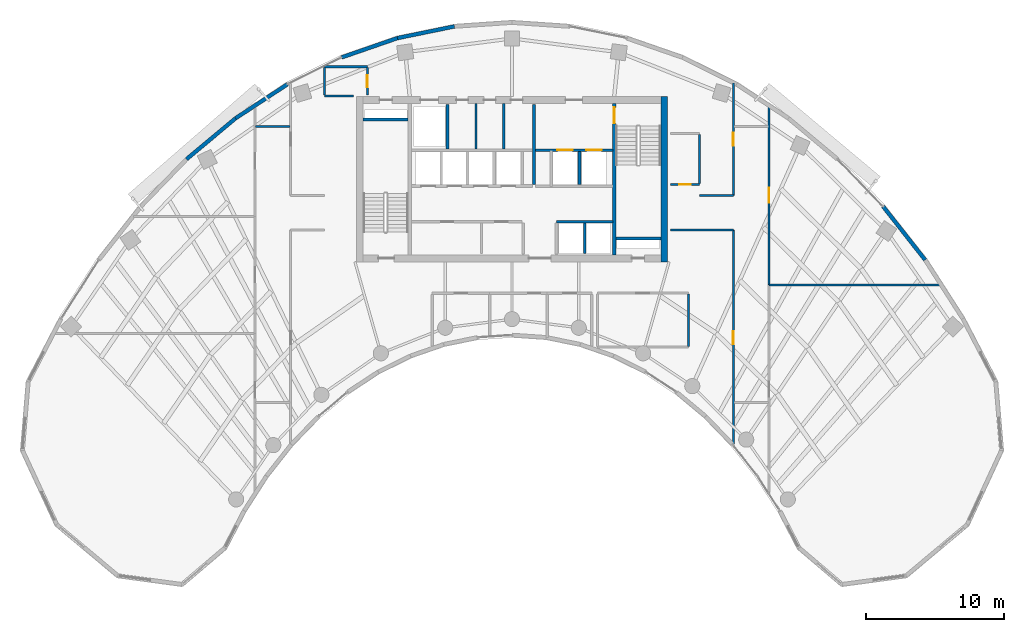
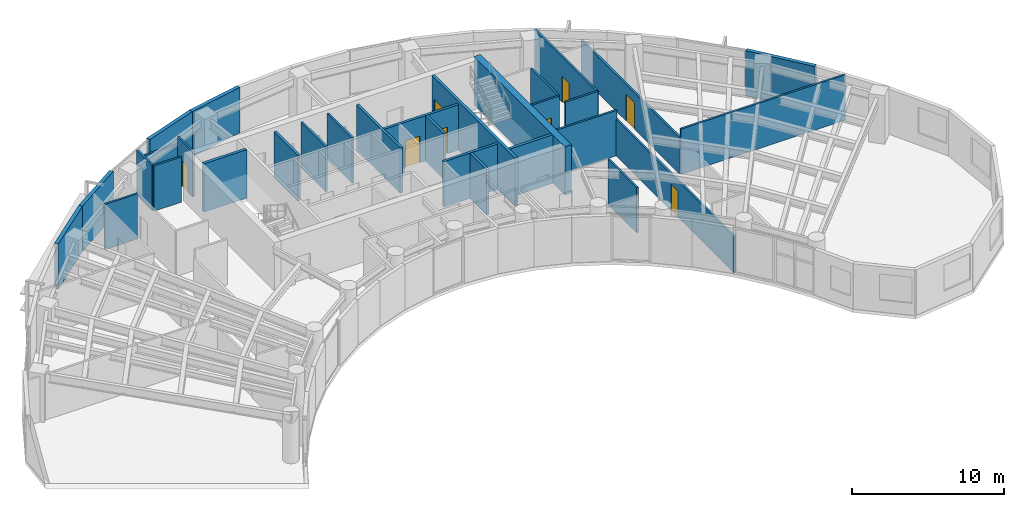
# One storey, part 9 of 13: 31 walls, 8 doors, 8 openings.
"""IFC4 building model written with IfcOpenShell, lengths in metres."""

from ifc_helpers import new_model, si_unit, direction, frame, frame_2d, origin, place, context, subcontext, project, spatial, rectangle, extrude, source, transform, mapped, material, layer, layer_set, type_object, type_shapes, element, fill, save


model = new_model("IFC4")

# Units and contexts
model_context = context("Model", 3, precision=1e-05, world=origin(), true_north=direction((0.0, 1.0)))
body_context = subcontext(model_context, "Body", "Model", "MODEL_VIEW")
ifc_project = project(units=[si_unit("LENGTHUNIT", "METRE"), si_unit("AREAUNIT", "SQUARE_METRE"), si_unit("VOLUMEUNIT", "CUBIC_METRE"), si_unit("PLANEANGLEUNIT", "RADIAN"), si_unit("MASSUNIT", "GRAM", prefix="KILO")], contexts=[model_context])

# Site, building, storey
site_placement = place(None, origin())
site = spatial("IfcSite", under=ifc_project, at=site_placement, CompositionType="ELEMENT")
building_placement = place(site_placement, origin())
building = spatial("IfcBuilding", under=site, at=building_placement, Name="Breltana Convention Tower", CompositionType="ELEMENT")
storey_placement = place(building_placement, frame((0.0, 0.0, 146.699951171875)))
storey = spatial("IfcBuildingStorey", under=building, at=storey_placement, Name="L35", CompositionType="ELEMENT", Elevation=146.699951171875)

# Walls
ifc_material_1 = material(Name="Concrete C60/75", Category="concrete")
ifc_layer_1 = layer(ifc_material_1, 0.5, Name="Concrete C60/75")
ifc_layer_set_1 = layer_set([ifc_layer_1], Name="Concrete C60/75")
wall_type_1 = type_object("IfcWallType", Name="SW-CORE-500", PredefinedType="SHEAR", material=ifc_layer_set_1)
shared_shape_1 = source(origin(), body_context, "Body", "SweptSolid", [
    extrude(rectangle(XDim=12.0, YDim=0.5, at=frame_2d((6.0, 0.0))), origin(), (0.0, 0.0, 1.0), 3.900146484375),
])
wall_1_placement = place(storey_placement, frame((59.050048828125, 60.199951171875, 0.0), z_axis=(0.0, 0.0, 1.0), x_axis=(0.0, 1.0, 0.0)))
element("IfcWall", 1, at=wall_1_placement, inside=storey, type_object=wall_type_1, Name="L35 East Core Shear Wall", PredefinedType="SHEAR", context=body_context, shape_type="MappedRepresentation", body=[
    mapped(shared_shape_1, transform((0.0, 0.0, 0.0), scale=1.0)),
])
ifc_material_2 = material(Name="Concrete C50/60", Category="concrete")
ifc_layer_2 = layer(ifc_material_2, 0.39990234375, Name="Concrete C50/60")
ifc_layer_set_2 = layer_set([ifc_layer_2], Name="Concrete C50/60")
wall_type_2 = type_object("IfcWallType", Name="SW-CORE-400", PredefinedType="SHEAR", material=ifc_layer_set_2)
shared_shape_2 = source(origin(), body_context, "Body", "SweptSolid", [
    extrude(rectangle(XDim=3.27001953125, YDim=0.219970703125, at=frame_2d((1.635009765625, 0.0))), origin(), (0.0, 0.0, 1.0), 3.900146484375),
])
for number, where, z_axis, x_axis, name in (
    (2, (37.199951171875, 70.510009765625, 0.0), (0.0, 0.0, 1.0), (1.0, 0.0, 0.0), "L35 ST-1 Stairwell North Bearing Wall"),
    (3, (55.530029296875, 61.889892578125, 0.0), (0.0, 0.0, 1.0), (1.0, 0.0, 0.0), "L35 ST-2 Stairwell South Bearing Wall"),
):
    element("IfcWall", number, at=place(storey_placement, frame(where, z_axis=z_axis, x_axis=x_axis)), inside=storey, type_object=wall_type_2, Name=name, PredefinedType="SHEAR", context=body_context, shape_type="MappedRepresentation", body=[
        mapped(shared_shape_2, transform((0.0, 0.0, 0.0), scale=1.0)),
    ])

# Wall, opening, door
shared_shape_3 = source(origin(), body_context, "Body", "SweptSolid", [
    extrude(rectangle(XDim=11.0, YDim=0.219970703125, at=frame_2d((5.5, 0.0))), origin(), (0.0, 0.0, 1.0), 3.900146484375),
])
wall_2_placement = place(storey_placement, frame((55.419921875, 60.699951171875, 0.0), z_axis=(0.0, 0.0, 1.0), x_axis=(0.0, 1.0, 0.0)))
wall_2 = element("IfcWall", 4, at=wall_2_placement, inside=storey, type_object=wall_type_2, Name="L35 Core East Stair Spine Wall", PredefinedType="SHEAR", context=body_context, shape_type="MappedRepresentation", body=[
    mapped(shared_shape_3, transform((0.0, 0.0, 0.0), scale=1.0)),
])
opening_1_placement = place(wall_2_placement, frame((9.544921875, 0.0, 0.0)))
opening_1 = element("IfcOpeningElement", 5, at=opening_1_placement, cuts=wall_2, Name="Opening D-11", PredefinedType="OPENING", context=body_context, shape_type="SweptSolid", body=[
    extrude(rectangle(XDim=1.14990234375, YDim=2.14990234375, at=frame_2d((0.574951171875, 1.074951171875))), frame((0.0, 0.1201171875, 0.0), z_axis=(0.0, -1.0, 0.0), x_axis=(1.0, 0.0, 0.0)), (0.0, 0.0, 1.0), 0.239990234375),
])
ifc_material_3 = material(Name="Steel Stair Exit Door", Category="steel")
door_type_1 = type_object("IfcDoorType", Name="DR-FD120-1150", OperationType="NOTDEFINED", PredefinedType="DOOR", material=ifc_material_3)
shared_shape_4 = source(origin(), body_context, "Body", "SweptSolid", [
    extrude(rectangle(XDim=1.14990234375, YDim=2.14990234375, at=frame_2d((0.574951171875, 1.074951171875))), frame((0.0, 0.02490234375, 0.0), z_axis=(0.0, -1.0, 0.0), x_axis=(1.0, 0.0, 0.0)), (0.0, 0.0, 1.0), 0.050048828125),
])
type_shapes(door_type_1, [shared_shape_4])
door_1_placement = place(opening_1_placement, origin())
door_1 = element("IfcDoor", 6, at=door_1_placement, inside=storey, type_object=door_type_1, Name="L35 interior door D-L35-ST2", OperationType="SINGLE_SWING_LEFT", OverallHeight=2.14990234375, OverallWidth=1.14990234375, PredefinedType="DOOR", context=body_context, shape_type="MappedRepresentation", body=[
    mapped(shared_shape_4, transform((0.0, 0.0, 0.0), scale=1.0)),
])
fill(opening_1, door_1)

# Walls
ifc_material_4 = material(Name="Limestone Buff Insulated Wall", Category="masonry")
ifc_layer_3 = layer(ifc_material_4, 0.280029296875, Name="Limestone Buff Insulated Wall")
ifc_layer_set_3 = layer_set([ifc_layer_3], Name="Limestone Buff Insulated Wall")
wall_type_3 = type_object("IfcWallType", Name="WL-EXT-NOSE-280", PredefinedType="SOLIDWALL", material=ifc_layer_set_3)
shared_shape_5 = source(origin(), body_context, "Body", "SweptSolid", [
    extrude(rectangle(XDim=4.921630859375, YDim=0.280029296875, at=frame_2d((2.4609375, 0.0))), origin(), (0.0, 0.0, 1.0), 3.650146484375),
])
wall_3_placement = place(storey_placement, frame((74.936279296875, 64.206298828125, 0.0), z_axis=(0.0, 0.0, 1.0), x_axis=(0.61817639101, -0.786039407153, 0.0)))
element("IfcWall", 7, at=wall_3_placement, inside=storey, type_object=wall_type_3, Name="L35 curved limestone nose wall E32", PredefinedType="SOLIDWALL", context=body_context, shape_type="MappedRepresentation", body=[
    mapped(shared_shape_5, transform((0.0, 0.0, 0.0), scale=1.0)),
])
shared_shape_6 = source(origin(), body_context, "Body", "SweptSolid", [
    extrude(rectangle(XDim=4.633544921875, YDim=0.280029296875, at=frame_2d((2.31689453125, 0.0))), origin(), (0.0, 0.0, 1.0), 3.650146484375),
])
wall_4_placement = place(storey_placement, frame((24.381103515625, 67.64208984375, 0.0), z_axis=(0.0, 0.0, 1.0), x_axis=(0.767910229096, 0.640557475993, 0.0)))
element("IfcWall", 8, at=wall_4_placement, inside=storey, type_object=wall_type_3, Name="L35 curved limestone nose wall E22", PredefinedType="SOLIDWALL", context=body_context, shape_type="MappedRepresentation", body=[
    mapped(shared_shape_6, transform((0.0, 0.0, 0.0), scale=1.0)),
])
shared_shape_7 = source(origin(), body_context, "Body", "SweptSolid", [
    extrude(rectangle(XDim=4.500732421875, YDim=0.280029296875, at=frame_2d((2.25048828125, 0.0))), origin(), (0.0, 0.0, 1.0), 3.650146484375),
])
wall_5_placement = place(storey_placement, frame((27.939208984375, 70.610107421875, 0.0), z_axis=(0.0, 0.0, 1.0), x_axis=(0.835984920737, 0.548752414391, 0.0)))
element("IfcWall", 9, at=wall_5_placement, inside=storey, type_object=wall_type_3, Name="L35 curved limestone nose wall E23", PredefinedType="SOLIDWALL", context=body_context, shape_type="MappedRepresentation", body=[
    mapped(shared_shape_7, transform((0.0, 0.0, 0.0), scale=1.0)),
])
shared_shape_8 = source(origin(), body_context, "Body", "SweptSolid", [
    extrude(rectangle(XDim=4.289794921875, YDim=0.280029296875, at=frame_2d((2.14501953125, 0.0))), origin(), (0.0, 0.0, 1.0), 3.650146484375),
])
wall_6_placement = place(storey_placement, frame((35.629638671875, 75.02685546875, 0.0), z_axis=(0.0, 0.0, 1.0), x_axis=(0.944883859218, 0.3274057003, 0.0)))
element("IfcWall", 10, at=wall_6_placement, inside=storey, type_object=wall_type_3, Name="L35 curved limestone nose wall E24", PredefinedType="SOLIDWALL", context=body_context, shape_type="MappedRepresentation", body=[
    mapped(shared_shape_8, transform((0.0, 0.0, 0.0), scale=1.0)),
])
shared_shape_9 = source(origin(), body_context, "Body", "SweptSolid", [
    extrude(rectangle(XDim=4.223388671875, YDim=0.280029296875, at=frame_2d((2.11181640625, 0.0))), origin(), (0.0, 0.0, 1.0), 3.650146484375),
])
wall_7_placement = place(storey_placement, frame((39.68310546875, 76.431396484375, 0.0), z_axis=(0.0, 0.0, 1.0), x_axis=(0.979615245085, 0.200882979858, 0.0)))
element("IfcWall", 11, at=wall_7_placement, inside=storey, type_object=wall_type_3, Name="L35 curved limestone nose wall E25", PredefinedType="SOLIDWALL", context=body_context, shape_type="MappedRepresentation", body=[
    mapped(shared_shape_9, transform((0.0, 0.0, 0.0), scale=1.0)),
])

# Wall, openings, doors
ifc_material_5 = material(Name="Autoclaved Aerated Concrete Block", Category="concrete")
ifc_layer_4 = layer(ifc_material_5, 0.199951171875, Name="Autoclaved Aerated Concrete Block")
ifc_layer_set_4 = layer_set([ifc_layer_4], Name="Autoclaved Aerated Concrete Block")
wall_type_4 = type_object("IfcWallType", Name="WL-SHAFT-200", PredefinedType="SOLIDWALL", material=ifc_layer_set_4)
shared_shape_10 = source(origin(), body_context, "Body", "SweptSolid", [
    extrude(rectangle(XDim=5.6201171875, YDim=0.199951171875, at=frame_2d((2.81005859375, 0.0))), origin(), (0.0, 0.0, 1.0), 3.650146484375),
])
wall_8_placement = place(storey_placement, frame((49.699951171875, 68.300048828125, 0.0), z_axis=(0.0, 0.0, 1.0), x_axis=(1.0, 0.0, 0.0)))
wall_8 = element("IfcWall", 12, at=wall_8_placement, inside=storey, type_object=wall_type_4, Name="L35 interior partition W-L35-FFL-S", PredefinedType="SOLIDWALL", context=body_context, shape_type="MappedRepresentation", body=[
    mapped(shared_shape_10, transform((0.0, 0.0, 0.0), scale=1.0)),
])
opening_2_placement = place(wall_8_placement, frame((1.60009765625, 0.0, 0.0)))
opening_2 = element("IfcOpeningElement", 13, at=opening_2_placement, cuts=wall_8, Name="Opening LD-03", PredefinedType="OPENING", context=body_context, shape_type="SweptSolid", body=[
    extrude(rectangle(XDim=1.10009765625, YDim=2.14990234375, at=frame_2d((0.550048828125, 1.074951171875))), frame((0.0, 0.10986328125, 0.0), z_axis=(0.0, -1.0, 0.0), x_axis=(1.0, 0.0, 0.0)), (0.0, 0.0, 1.0), 0.219970703125),
])
opening_3_placement = place(wall_8_placement, frame((3.699951171875, 0.0, 0.0)))
opening_3 = element("IfcOpeningElement", 14, at=opening_3_placement, cuts=wall_8, Name="Opening LD-03", PredefinedType="OPENING", context=body_context, shape_type="SweptSolid", body=[
    extrude(rectangle(XDim=1.10009765625, YDim=2.14990234375, at=frame_2d((0.550048828125, 1.074951171875))), frame((0.0, 0.10986328125, 0.0), z_axis=(0.0, -1.0, 0.0), x_axis=(1.0, 0.0, 0.0)), (0.0, 0.0, 1.0), 0.219970703125),
])
ifc_material_6 = material(Name="Stainless Steel Brushed", Category="steel")
door_type_2 = type_object("IfcDoorType", Name="DR-LD-FF-1100", OperationType="DOUBLE_DOOR_SLIDING", PredefinedType="DOOR", material=ifc_material_6)
shared_shape_11 = source(origin(), body_context, "Body", "SweptSolid", [
    extrude(rectangle(XDim=1.10009765625, YDim=2.14990234375, at=frame_2d((0.550048828125, 1.074951171875))), frame((0.0, 0.02490234375, 0.0), z_axis=(0.0, -1.0, 0.0), x_axis=(1.0, 0.0, 0.0)), (0.0, 0.0, 1.0), 0.050048828125),
])
type_shapes(door_type_2, [shared_shape_11])
door_2_placement = place(opening_2_placement, origin())
door_2 = element("IfcDoor", 15, at=door_2_placement, inside=storey, type_object=door_type_2, Name="L35 Lift Landing Door D-L35-LD-FL1", OperationType="DOUBLE_DOOR_SLIDING", OverallHeight=2.14990234375, OverallWidth=1.10009765625, PredefinedType="DOOR", context=body_context, shape_type="MappedRepresentation", body=[
    mapped(shared_shape_11, transform((0.0, 0.0, 0.0), scale=1.0)),
])
fill(opening_2, door_2)
door_3_placement = place(opening_3_placement, origin())
door_3 = element("IfcDoor", 16, at=door_3_placement, inside=storey, type_object=door_type_2, Name="L35 Lift Landing Door D-L35-LD-FL2", OperationType="DOUBLE_DOOR_SLIDING", OverallHeight=2.14990234375, OverallWidth=1.10009765625, PredefinedType="DOOR", context=body_context, shape_type="MappedRepresentation", body=[
    mapped(shared_shape_11, transform((0.0, 0.0, 0.0), scale=1.0)),
])
fill(opening_3, door_3)

# Walls
shared_shape_12 = source(origin(), body_context, "Body", "SweptSolid", [
    extrude(rectangle(XDim=5.800048828125, YDim=0.199951171875, at=frame_2d((2.89990234375, 0.0))), origin(), (0.0, 0.0, 1.0), 3.650146484375),
])
wall_9_placement = place(storey_placement, frame((49.60009765625, 65.800048828125, 0.0), z_axis=(0.0, 0.0, 1.0), x_axis=(0.0, 1.0, 0.0)))
element("IfcWall", 17, at=wall_9_placement, inside=storey, type_object=wall_type_4, Name="L35 interior partition W-L35-FFL-W", PredefinedType="SOLIDWALL", context=body_context, shape_type="MappedRepresentation", body=[
    mapped(shared_shape_12, transform((0.0, 0.0, 0.0), scale=1.0)),
])
shared_shape_13 = source(origin(), body_context, "Body", "SweptSolid", [
    extrude(rectangle(XDim=2.39990234375, YDim=0.199951171875, at=frame_2d((1.199951171875, 0.0))), origin(), (0.0, 0.0, 1.0), 3.650146484375),
])
wall_10_placement = place(storey_placement, frame((52.89990234375, 65.800048828125, 0.0), z_axis=(0.0, 0.0, 1.0), x_axis=(0.0, 1.0, 0.0)))
element("IfcWall", 18, at=wall_10_placement, inside=storey, type_object=wall_type_4, Name="L35 interior partition W-L35-FL-DIV", PredefinedType="SOLIDWALL", context=body_context, shape_type="MappedRepresentation", body=[
    mapped(shared_shape_13, transform((0.0, 0.0, 0.0), scale=1.0)),
])
shared_shape_14 = source(origin(), body_context, "Body", "SweptSolid", [
    extrude(rectangle(XDim=3.2001953125, YDim=0.199951171875, at=frame_2d((1.60009765625, 0.0))), origin(), (0.0, 0.0, 1.0), 3.650146484375),
])
wall_11_placement = place(storey_placement, frame((43.320068359375, 68.39990234375, 0.0), z_axis=(0.0, 0.0, 1.0), x_axis=(0.0, 1.0, 0.0)))
element("IfcWall", 19, at=wall_11_placement, inside=storey, type_object=wall_type_4, Name="L35 interior partition W-L35-SV-E", PredefinedType="SOLIDWALL", context=body_context, shape_type="MappedRepresentation", body=[
    mapped(shared_shape_14, transform((0.0, 0.0, 0.0), scale=1.0)),
])
shared_shape_15 = source(origin(), body_context, "Body", "SweptSolid", [
    extrude(rectangle(XDim=4.10009765625, YDim=0.199951171875, at=frame_2d((2.050048828125, 0.0))), origin(), (0.0, 0.0, 1.0), 3.650146484375),
])
wall_12_placement = place(storey_placement, frame((51.219970703125, 63.10009765625, 0.0), z_axis=(0.0, 0.0, 1.0), x_axis=(1.0, 0.0, 0.0)))
element("IfcWall", 20, at=wall_12_placement, inside=storey, type_object=wall_type_4, Name="L35 interior partition W-L35-SH-X-FRONT", PredefinedType="SOLIDWALL", context=body_context, shape_type="MappedRepresentation", body=[
    mapped(shared_shape_15, transform((0.0, 0.0, 0.0), scale=1.0)),
])
shared_shape_16 = source(origin(), body_context, "Body", "SweptSolid", [
    extrude(rectangle(XDim=2.199951171875, YDim=0.199951171875, at=frame_2d((1.10009765625, 0.0))), origin(), (0.0, 0.0, 1.0), 3.650146484375),
])
wall_13_placement = place(storey_placement, frame((53.280029296875, 60.800048828125, 0.0), z_axis=(0.0, 0.0, 1.0), x_axis=(0.0, 1.0, 0.0)))
element("IfcWall", 21, at=wall_13_placement, inside=storey, type_object=wall_type_4, Name="L35 interior partition W-L35-SH-X-DIV", PredefinedType="SOLIDWALL", context=body_context, shape_type="MappedRepresentation", body=[
    mapped(shared_shape_16, transform((0.0, 0.0, 0.0), scale=1.0)),
])
ifc_material_7 = material(Name="Gypsum Acoustic Drywall Partition")
ifc_layer_5 = layer(ifc_material_7, 0.14990234375, Name="Gypsum Acoustic Drywall Partition")
ifc_layer_set_5 = layer_set([ifc_layer_5], Name="Gypsum Acoustic Drywall Partition")
wall_type_5 = type_object("IfcWallType", Name="WL-PART-150", PredefinedType="PARTITIONING", material=ifc_layer_set_5)
shared_shape_17 = source(origin(), body_context, "Body", "SweptSolid", [
    extrude(rectangle(XDim=3.78515625, YDim=0.14990234375, at=frame_2d((1.892578125, 0.0))), origin(), (0.0, 0.0, 1.0), 3.650146484375),
])
wall_14_placement = place(storey_placement, frame((60.800048828125, 54.0673828125, 0.0), z_axis=(0.0, 0.0, 1.0), x_axis=(0.0, 1.0, 0.0)))
element("IfcWall", 22, at=wall_14_placement, inside=storey, type_object=wall_type_5, Name="L35 interior partition W-L35-PNT-E", PredefinedType="PARTITIONING", context=body_context, shape_type="MappedRepresentation", body=[
    mapped(shared_shape_17, transform((0.0, 0.0, 0.0), scale=1.0)),
])
shared_shape_18 = source(origin(), body_context, "Body", "SweptSolid", [
    extrude(rectangle(XDim=2.5, YDim=0.14990234375, at=frame_2d((1.25, 0.0))), origin(), (0.0, 0.0, 1.0), 3.650146484375),
])
wall_15_placement = place(storey_placement, frame((29.39990234375, 70.0, 0.0), z_axis=(0.0, 0.0, 1.0), x_axis=(1.0, 0.0, 0.0)))
element("IfcWall", 23, at=wall_15_placement, inside=storey, type_object=wall_type_5, Name="L35 interior partition W-L35-CORNW-N", PredefinedType="PARTITIONING", context=body_context, shape_type="MappedRepresentation", body=[
    mapped(shared_shape_18, transform((0.0, 0.0, 0.0), scale=1.0)),
])
shared_shape_19 = source(origin(), body_context, "Body", "SweptSolid", [
    extrude(rectangle(XDim=3.280029296875, YDim=0.14990234375, at=frame_2d((1.64013671875, 0.0))), origin(), (0.0, 0.0, 1.0), 3.650146484375),
])
for number, where, z_axis, x_axis, name in (
    (24, (45.39990234375, 68.39990234375, 0.0), (0.0, 0.0, 1.0), (0.0, 1.0, 0.0), "L35 interior partition W-L35-KV-1"),
    (25, (47.39990234375, 68.39990234375, 0.0), (0.0, 0.0, 1.0), (0.0, 1.0, 0.0), "L35 interior partition W-L35-KV-2"),
):
    element("IfcWall", number, at=place(storey_placement, frame(where, z_axis=z_axis, x_axis=x_axis)), inside=storey, type_object=wall_type_5, Name=name, PredefinedType="PARTITIONING", context=body_context, shape_type="MappedRepresentation", body=[
        mapped(shared_shape_19, transform((0.0, 0.0, 0.0), scale=1.0)),
    ])
shared_shape_20 = source(origin(), body_context, "Body", "SweptSolid", [
    extrude(rectangle(XDim=2.10009765625, YDim=0.14990234375, at=frame_2d((1.050048828125, 0.0))), origin(), (0.0, 0.0, 1.0), 3.650146484375),
])
wall_16_placement = place(storey_placement, frame((34.39990234375, 72.219970703125, 0.0), z_axis=(0.0, 0.0, 1.0), x_axis=(1.0, 0.0, 0.0)))
element("IfcWall", 26, at=wall_16_placement, inside=storey, type_object=wall_type_5, Name="L35 interior partition W-L35-CRNE-S", PredefinedType="PARTITIONING", context=body_context, shape_type="MappedRepresentation", body=[
    mapped(shared_shape_20, transform((0.0, 0.0, 0.0), scale=1.0)),
])

# Wall, opening, door
wall_17_placement = place(storey_placement, frame((59.5, 65.800048828125, 0.0), z_axis=(0.0, 0.0, 1.0), x_axis=(1.0, 0.0, 0.0)))
wall_17 = element("IfcWall", 27, at=wall_17_placement, inside=storey, type_object=wall_type_5, Name="L35 interior partition W-L35-CRSE-S", PredefinedType="PARTITIONING", context=body_context, shape_type="MappedRepresentation", body=[
    mapped(shared_shape_20, transform((0.0, 0.0, 0.0), scale=1.0)),
])
opening_4_placement = place(wall_17_placement, frame((0.625, 0.0, 0.0)))
opening_4 = element("IfcOpeningElement", 28, at=opening_4_placement, cuts=wall_17, Name="Opening D-20", PredefinedType="OPENING", context=body_context, shape_type="SweptSolid", body=[
    extrude(rectangle(XDim=0.85009765625, YDim=2.10009765625, at=frame_2d((0.425048828125, 1.050048828125))), frame((0.0, 0.0849609375, 0.0), z_axis=(0.0, -1.0, 0.0), x_axis=(1.0, 0.0, 0.0)), (0.0, 0.0, 1.0), 0.169921875),
])
ifc_material_8 = material(Name="Steel Closet Fire Door", Category="steel")
door_type_3 = type_object("IfcDoorType", Name="DR-FD60-850", OperationType="NOTDEFINED", PredefinedType="DOOR", material=ifc_material_8)
shared_shape_21 = source(origin(), body_context, "Body", "SweptSolid", [
    extrude(rectangle(XDim=0.85009765625, YDim=2.10009765625, at=frame_2d((0.425048828125, 1.050048828125))), frame((0.0, 0.02490234375, 0.0), z_axis=(0.0, -1.0, 0.0), x_axis=(1.0, 0.0, 0.0)), (0.0, 0.0, 1.0), 0.050048828125),
])
type_shapes(door_type_3, [shared_shape_21])
door_4_placement = place(opening_4_placement, origin())
door_4 = element("IfcDoor", 29, at=door_4_placement, inside=storey, type_object=door_type_3, Name="L35 interior door D-L35-CRSE", OperationType="SINGLE_SWING_LEFT", OverallHeight=2.10009765625, OverallWidth=0.85009765625, PredefinedType="DOOR", context=body_context, shape_type="MappedRepresentation", body=[
    mapped(shared_shape_21, transform((0.0, 0.0, 0.0), scale=1.0)),
])
fill(opening_4, door_4)

# Wall
shared_shape_22 = source(origin(), body_context, "Body", "SweptSolid", [
    extrude(rectangle(XDim=1.994873046875, YDim=0.14990234375, at=frame_2d((0.99755859375, 0.0))), origin(), (0.0, 0.0, 1.0), 3.650146484375),
])
wall_18_placement = place(storey_placement, frame((34.39990234375, 72.28759765625, 0.0), z_axis=(0.0, 0.0, 1.0), x_axis=(0.0, 1.0, 0.0)))
element("IfcWall", 30, at=wall_18_placement, inside=storey, type_object=wall_type_5, Name="L35 interior partition W-L35-CRNE-W", PredefinedType="PARTITIONING", context=body_context, shape_type="MappedRepresentation", body=[
    mapped(shared_shape_22, transform((0.0, 0.0, 0.0), scale=1.0)),
])

# Wall, opening, door
shared_shape_23 = source(origin(), body_context, "Body", "SweptSolid", [
    extrude(rectangle(XDim=1.982421875, YDim=0.14990234375, at=frame_2d((0.9912109375, 0.0))), origin(), (0.0, 0.0, 1.0), 3.650146484375),
])
wall_19_placement = place(storey_placement, frame((37.5, 72.300048828125, 0.0), z_axis=(0.0, 0.0, 1.0), x_axis=(0.0, 1.0, 0.0)))
wall_19 = element("IfcWall", 31, at=wall_19_placement, inside=storey, type_object=wall_type_5, Name="L35 interior partition W-L35-CRNE-E", PredefinedType="PARTITIONING", context=body_context, shape_type="MappedRepresentation", body=[
    mapped(shared_shape_23, transform((0.0, 0.0, 0.0), scale=1.0)),
])
opening_5_placement = place(wall_19_placement, frame((0.56640625, 0.0, 0.0)))
opening_5 = element("IfcOpeningElement", 32, at=opening_5_placement, cuts=wall_19, Name="Opening D-20", PredefinedType="OPENING", context=body_context, shape_type="SweptSolid", body=[
    extrude(rectangle(XDim=0.85009765625, YDim=2.10009765625, at=frame_2d((0.425048828125, 1.050048828125))), frame((0.0, 0.0849609375, 0.0), z_axis=(0.0, -1.0, 0.0), x_axis=(1.0, 0.0, 0.0)), (0.0, 0.0, 1.0), 0.169921875),
])
door_5_placement = place(opening_5_placement, origin())
door_5 = element("IfcDoor", 33, at=door_5_placement, inside=storey, type_object=door_type_3, Name="L35 interior door D-L35-CRNE", OperationType="SINGLE_SWING_RIGHT", OverallHeight=2.10009765625, OverallWidth=0.85009765625, PredefinedType="DOOR", context=body_context, shape_type="MappedRepresentation", body=[
    mapped(shared_shape_21, transform((0.0, 0.0, 0.0), scale=1.0)),
])
fill(opening_5, door_5)

# Walls
shared_shape_24 = source(origin(), body_context, "Body", "SweptSolid", [
    extrude(rectangle(XDim=3.10009765625, YDim=0.14990234375, at=frame_2d((1.550048828125, 0.0))), origin(), (0.0, 0.0, 1.0), 3.02197265625),
])
wall_20_placement = place(storey_placement, frame((34.39990234375, 74.35009765625, 0.0), z_axis=(0.0, 0.0, 1.0), x_axis=(1.0, 0.0, 0.0)))
element("IfcWall", 34, at=wall_20_placement, inside=storey, type_object=wall_type_5, Name="L35 interior partition W-L35-CRNE-N", PredefinedType="PARTITIONING", context=body_context, shape_type="MappedRepresentation", body=[
    mapped(shared_shape_24, transform((0.0, 0.0, 0.0), scale=1.0)),
])
shared_shape_25 = source(origin(), body_context, "Body", "SweptSolid", [
    extrude(rectangle(XDim=3.565185546875, YDim=0.14990234375, at=frame_2d((1.78271484375, 0.0))), origin(), (0.0, 0.0, 1.0), 3.650146484375),
])
wall_21_placement = place(storey_placement, frame((61.60009765625, 65.867431640625, 0.0), z_axis=(0.0, 0.0, 1.0), x_axis=(0.0, 1.0, 0.0)))
element("IfcWall", 35, at=wall_21_placement, inside=storey, type_object=wall_type_5, Name="L35 interior partition W-L35-CRSE-E", PredefinedType="PARTITIONING", context=body_context, shape_type="MappedRepresentation", body=[
    mapped(shared_shape_25, transform((0.0, 0.0, 0.0), scale=1.0)),
])
shared_shape_26 = source(origin(), body_context, "Body", "SweptSolid", [
    extrude(rectangle(XDim=12.506591796875, YDim=0.14990234375, at=frame_2d((6.25341796875, 0.0))), origin(), (0.0, 0.0, 1.0), 3.650146484375),
])
wall_22_placement = place(storey_placement, frame((66.639892578125, 58.5, 0.0), z_axis=(0.0, 0.0, 1.0), x_axis=(1.0, 0.0, 0.0)))
element("IfcWall", 36, at=wall_22_placement, inside=storey, type_object=wall_type_5, Name="L35 interior partition W-L35-ZE1-N", PredefinedType="PARTITIONING", context=body_context, shape_type="MappedRepresentation", body=[
    mapped(shared_shape_26, transform((0.0, 0.0, 0.0), scale=1.0)),
])

# Wall, opening, door
shared_shape_27 = source(origin(), body_context, "Body", "SweptSolid", [
    extrude(rectangle(XDim=13.03076171875, YDim=0.14990234375, at=frame_2d((6.515380859375, 0.0))), origin(), (0.0, 0.0, 1.0), 2.942138671875),
])
wall_23_placement = place(storey_placement, frame((66.639892578125, 58.5, 0.0), z_axis=(0.0, 0.0, 1.0), x_axis=(0.0, 1.0, 0.0)))
wall_23 = element("IfcWall", 37, at=wall_23_placement, inside=storey, type_object=wall_type_5, Name="L35 interior partition W-L35-ZE2-W", PredefinedType="PARTITIONING", context=body_context, shape_type="MappedRepresentation", body=[
    mapped(shared_shape_27, transform((0.0, 0.0, 0.0), scale=1.0)),
])
opening_6_placement = place(wall_23_placement, frame((5.96533203125, 0.0, 0.0)))
opening_6 = element("IfcOpeningElement", 38, at=opening_6_placement, cuts=wall_23, Name="Opening D-12", PredefinedType="OPENING", context=body_context, shape_type="SweptSolid", body=[
    extrude(rectangle(XDim=1.10009765625, YDim=2.14990234375, at=frame_2d((0.550048828125, 1.074951171875))), frame((0.0, 0.0849609375, 0.0), z_axis=(0.0, -1.0, 0.0), x_axis=(1.0, 0.0, 0.0)), (0.0, 0.0, 1.0), 0.169921875),
])
ifc_material_9 = material(Name="Timber Oak Acoustic Door", Category="wood")
door_type_4 = type_object("IfcDoorType", Name="DR-INT-1100", OperationType="NOTDEFINED", PredefinedType="DOOR", material=ifc_material_9)
shared_shape_28 = source(origin(), body_context, "Body", "SweptSolid", [
    extrude(rectangle(XDim=1.10009765625, YDim=2.14990234375, at=frame_2d((0.550048828125, 1.074951171875))), frame((0.0, 0.02490234375, 0.0), z_axis=(0.0, -1.0, 0.0), x_axis=(1.0, 0.0, 0.0)), (0.0, 0.0, 1.0), 0.050048828125),
])
type_shapes(door_type_4, [shared_shape_28])
door_6_placement = place(opening_6_placement, origin())
door_6 = element("IfcDoor", 39, at=door_6_placement, inside=storey, type_object=door_type_4, Name="L35 interior door D-L35-ZE2", OperationType="SINGLE_SWING_RIGHT", OverallHeight=2.14990234375, OverallWidth=1.10009765625, PredefinedType="DOOR", context=body_context, shape_type="MappedRepresentation", body=[
    mapped(shared_shape_28, transform((0.0, 0.0, 0.0), scale=1.0)),
])
fill(opening_6, door_6)

shared_shape_29 = source(origin(), body_context, "Body", "SweptSolid", [
    extrude(rectangle(XDim=15.597900390625, YDim=0.14990234375, at=frame_2d((7.798828125, 0.0))), origin(), (0.0, 0.0, 1.0), 2.942138671875),
])
wall_24_placement = place(storey_placement, frame((64.06005859375, 46.902099609375, 0.0), z_axis=(0.0, 0.0, 1.0), x_axis=(0.0, 1.0, 0.0)))
wall_24 = element("IfcWall", 40, at=wall_24_placement, inside=storey, type_object=wall_type_5, Name="L35 interior partition W-L35-ZME1-D", PredefinedType="PARTITIONING", context=body_context, shape_type="MappedRepresentation", body=[
    mapped(shared_shape_29, transform((0.0, 0.0, 0.0), scale=1.0)),
])
opening_7_placement = place(wall_24_placement, frame((7.323974609375, 0.0, 0.0)))
opening_7 = element("IfcOpeningElement", 41, at=opening_7_placement, cuts=wall_24, Name="Opening D-17", PredefinedType="OPENING", context=body_context, shape_type="SweptSolid", body=[
    extrude(rectangle(XDim=0.949951171875, YDim=2.10009765625, at=frame_2d((0.47509765625, 1.050048828125))), frame((0.0, 0.0849609375, 0.0), z_axis=(0.0, -1.0, 0.0), x_axis=(1.0, 0.0, 0.0)), (0.0, 0.0, 1.0), 0.169921875),
])
ifc_material_10 = material(Name="Timber Oak Veneer Door", Category="wood")
door_type_5 = type_object("IfcDoorType", Name="DR-INT-950", OperationType="NOTDEFINED", PredefinedType="DOOR", material=ifc_material_10)
shared_shape_30 = source(origin(), body_context, "Body", "SweptSolid", [
    extrude(rectangle(XDim=0.949951171875, YDim=2.10009765625, at=frame_2d((0.47509765625, 1.050048828125))), frame((0.0, 0.02490234375, 0.0), z_axis=(0.0, -1.0, 0.0), x_axis=(1.0, 0.0, 0.0)), (0.0, 0.0, 1.0), 0.050048828125),
])
type_shapes(door_type_5, [shared_shape_30])
door_7_placement = place(opening_7_placement, origin())
door_7 = element("IfcDoor", 42, at=door_7_placement, inside=storey, type_object=door_type_5, Name="L35 interior door D-L35-ZME1", OperationType="SINGLE_SWING_LEFT", OverallHeight=2.10009765625, OverallWidth=0.949951171875, PredefinedType="DOOR", context=body_context, shape_type="MappedRepresentation", body=[
    mapped(shared_shape_30, transform((0.0, 0.0, 0.0), scale=1.0)),
])
fill(opening_7, door_7)

# Wall
shared_shape_31 = source(origin(), body_context, "Body", "SweptSolid", [
    extrude(rectangle(XDim=2.4599609375, YDim=0.14990234375, at=frame_2d((1.22998046875, 0.0))), origin(), (0.0, 0.0, 1.0), 3.650146484375),
])
wall_25_placement = place(storey_placement, frame((61.60009765625, 65.0, 0.0), z_axis=(0.0, 0.0, 1.0), x_axis=(1.0, 0.0, 0.0)))
element("IfcWall", 43, at=wall_25_placement, inside=storey, type_object=wall_type_5, Name="L35 interior partition W-L35-ZME2-TS", PredefinedType="PARTITIONING", context=body_context, shape_type="MappedRepresentation", body=[
    mapped(shared_shape_31, transform((0.0, 0.0, 0.0), scale=1.0)),
])

# Wall, opening, door
shared_shape_32 = source(origin(), body_context, "Body", "SweptSolid", [
    extrude(rectangle(XDim=8.186767578125, YDim=0.14990234375, at=frame_2d((4.09326171875, 0.0))), origin(), (0.0, 0.0, 1.0), 3.650146484375),
])
wall_26_placement = place(storey_placement, frame((64.06005859375, 65.0, 0.0), z_axis=(0.0, 0.0, 1.0), x_axis=(0.0, 1.0, 0.0)))
wall_26 = element("IfcWall", 44, at=wall_26_placement, inside=storey, type_object=wall_type_5, Name="L35 interior partition W-L35-ZME2-D", PredefinedType="PARTITIONING", context=body_context, shape_type="MappedRepresentation", body=[
    mapped(shared_shape_32, transform((0.0, 0.0, 0.0), scale=1.0)),
])
opening_8_placement = place(wall_26_placement, frame((3.618408203125, 0.0, 0.0)))
opening_8 = element("IfcOpeningElement", 45, at=opening_8_placement, cuts=wall_26, Name="Opening D-17", PredefinedType="OPENING", context=body_context, shape_type="SweptSolid", body=[
    extrude(rectangle(XDim=0.949951171875, YDim=2.10009765625, at=frame_2d((0.47509765625, 1.050048828125))), frame((0.0, 0.0849609375, 0.0), z_axis=(0.0, -1.0, 0.0), x_axis=(1.0, 0.0, 0.0)), (0.0, 0.0, 1.0), 0.169921875),
])
door_8_placement = place(opening_8_placement, origin())
door_8 = element("IfcDoor", 46, at=door_8_placement, inside=storey, type_object=door_type_5, Name="L35 interior door D-L35-ZME2", OperationType="SINGLE_SWING_RIGHT", OverallHeight=2.10009765625, OverallWidth=0.949951171875, PredefinedType="DOOR", context=body_context, shape_type="MappedRepresentation", body=[
    mapped(shared_shape_30, transform((0.0, 0.0, 0.0), scale=1.0)),
])
fill(opening_8, door_8)

# Wall
shared_shape_33 = source(origin(), body_context, "Body", "SweptSolid", [
    extrude(rectangle(XDim=4.56005859375, YDim=0.14990234375, at=frame_2d((2.280029296875, 0.0))), origin(), (0.0, 0.0, 1.0), 3.650146484375),
])
wall_27_placement = place(storey_placement, frame((59.5, 62.5, 0.0), z_axis=(0.0, 0.0, 1.0), x_axis=(1.0, 0.0, 0.0)))
element("IfcWall", 47, at=wall_27_placement, inside=storey, type_object=wall_type_5, Name="L35 interior partition W-L35-ZME1-TN", PredefinedType="PARTITIONING", context=body_context, shape_type="MappedRepresentation", body=[
    mapped(shared_shape_33, transform((0.0, 0.0, 0.0), scale=1.0)),
])

save(model, "model.ifc")
